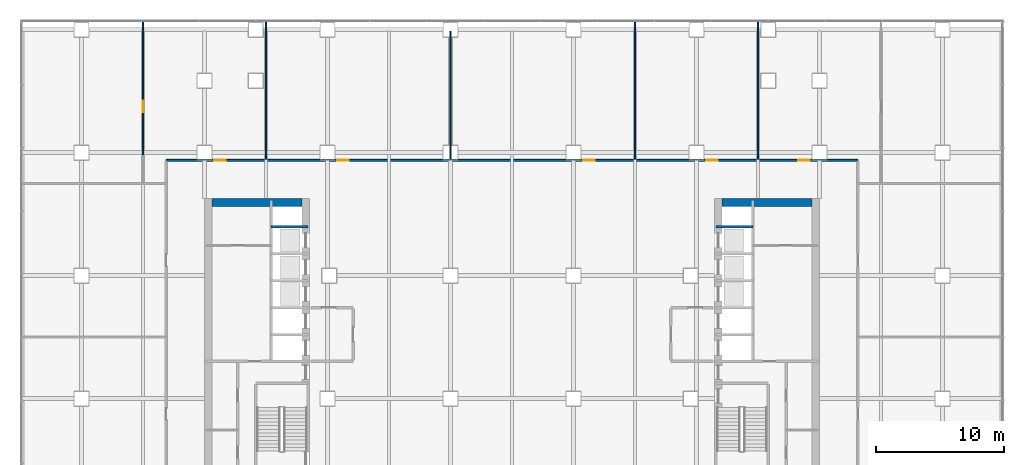
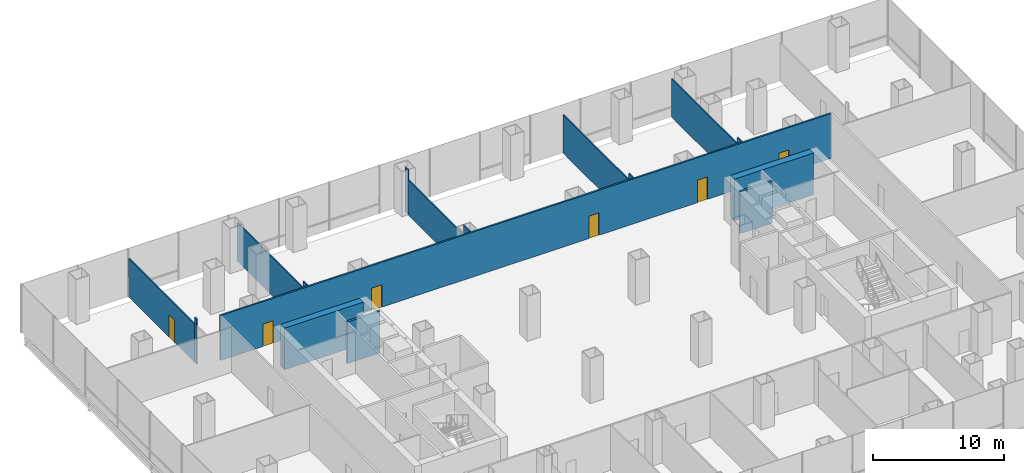
# One storey, part 19 of 23: 16 walls, 6 doors, 6 openings.
"""IFC4 building model written with IfcOpenShell, lengths in metres."""

from ifc_helpers import new_model, si_unit, direction, frame, frame_2d, origin, place, context, subcontext, project, spatial, rectangle, extrude, material, layer, layer_set, type_object, element, fill, save


model = new_model("IFC4")

# Units and contexts
model_context = context("Model", 3, precision=1e-05, world=origin(), true_north=direction((0.0, 1.0)))
body_context = subcontext(model_context, "Body", "Model", "MODEL_VIEW")
ifc_project = project(units=[si_unit("LENGTHUNIT", "METRE"), si_unit("AREAUNIT", "SQUARE_METRE"), si_unit("VOLUMEUNIT", "CUBIC_METRE"), si_unit("PLANEANGLEUNIT", "RADIAN"), si_unit("MASSUNIT", "GRAM", prefix="KILO")], contexts=[model_context])

# Site, building, storey
site_placement = place(None, origin())
site = spatial("IfcSite", under=ifc_project, at=site_placement, CompositionType="ELEMENT")
building_placement = place(site_placement, origin())
building = spatial("IfcBuilding", under=site, at=building_placement, Name="Cobrizo Arcos Hotel Tower", CompositionType="ELEMENT")
storey_placement = place(building_placement, frame((0.0, 0.0, 29.0)))
storey = spatial("IfcBuildingStorey", under=building, at=storey_placement, Name="L05", CompositionType="ELEMENT", Elevation=29.0)

# Wall, openings, doors
ifc_material_1 = material(Name="Gypsum board partition")
ifc_layer_1 = layer(ifc_material_1, 0.14990234375)
ifc_layer_set_1 = layer_set([ifc_layer_1], Name="Corridor wall EI 60 150")
wall_type_1 = type_object("IfcWallType", Name="Corridor wall EI 60 150", PredefinedType="PARTITIONING", material=ifc_layer_set_1)
wall_1_placement = place(storey_placement, frame((-27.0, 13.800048828125, 0.0), z_axis=(0.0, 0.0, 1.0), x_axis=(1.0, 0.0, 0.0)))
wall_1 = element("IfcWall", 1, at=wall_1_placement, inside=storey, type_object=wall_type_1, Name="Partition 031", PredefinedType="PARTITIONING", context=body_context, shape_type="SweptSolid", body=[
    extrude(rectangle(XDim=54.0, YDim=0.14990234375, at=frame_2d((27.0, 0.0))), origin(), (0.0, 0.0, 1.0), 4.199951171875),
])
opening_1_placement = place(wall_1_placement, frame((42.14990234375, 0.0, 0.0)))
opening_1 = element("IfcOpeningElement", 2, at=opening_1_placement, cuts=wall_1, Name="Opening RD-09", PredefinedType="OPENING", context=body_context, shape_type="SweptSolid", body=[
    extrude(rectangle(XDim=0.89990234375, YDim=2.10009765625, at=frame_2d((0.449951171875, 1.050048828125))), frame((0.0, 0.0869140625, 0.0), z_axis=(0.0, -1.0, 0.0), x_axis=(1.0, 0.0, 0.0)), (0.0, 0.0, 1.0), 0.173828125),
])
opening_2_placement = place(wall_1_placement, frame((3.75, 0.0, 0.0)))
opening_2 = element("IfcOpeningElement", 3, at=opening_2_placement, cuts=wall_1, Name="Opening RD-18", PredefinedType="OPENING", context=body_context, shape_type="SweptSolid", body=[
    extrude(rectangle(XDim=0.89990234375, YDim=2.10009765625, at=frame_2d((0.449951171875, 1.050048828125))), frame((0.0, 0.0869140625, 0.0), z_axis=(0.0, -1.0, 0.0), x_axis=(1.0, 0.0, 0.0)), (0.0, 0.0, 1.0), 0.173828125),
])
opening_3_placement = place(wall_1_placement, frame((49.35009765625, 0.0, 0.0)))
opening_3 = element("IfcOpeningElement", 4, at=opening_3_placement, cuts=wall_1, Name="Opening RD-22", PredefinedType="OPENING", context=body_context, shape_type="SweptSolid", body=[
    extrude(rectangle(XDim=0.89990234375, YDim=2.10009765625, at=frame_2d((0.449951171875, 1.050048828125))), frame((0.0, 0.0869140625, 0.0), z_axis=(0.0, -1.0, 0.0), x_axis=(1.0, 0.0, 0.0)), (0.0, 0.0, 1.0), 0.173828125),
])
opening_4_placement = place(wall_1_placement, frame((13.35009765625, 0.0, 0.0)))
opening_4 = element("IfcOpeningElement", 5, at=opening_4_placement, cuts=wall_1, Name="Opening RD-23", PredefinedType="OPENING", context=body_context, shape_type="SweptSolid", body=[
    extrude(rectangle(XDim=0.89990234375, YDim=2.10009765625, at=frame_2d((0.449951171875, 1.050048828125))), frame((0.0, 0.0869140625, 0.0), z_axis=(0.0, -1.0, 0.0), x_axis=(1.0, 0.0, 0.0)), (0.0, 0.0, 1.0), 0.173828125),
])
opening_5_placement = place(wall_1_placement, frame((32.550048828125, 0.0, 0.0)))
opening_5 = element("IfcOpeningElement", 6, at=opening_5_placement, cuts=wall_1, Name="Opening RD-24", PredefinedType="OPENING", context=body_context, shape_type="SweptSolid", body=[
    extrude(rectangle(XDim=0.89990234375, YDim=2.10009765625, at=frame_2d((0.449951171875, 1.050048828125))), frame((0.0, 0.0869140625, 0.0), z_axis=(0.0, -1.0, 0.0), x_axis=(1.0, 0.0, 0.0)), (0.0, 0.0, 1.0), 0.173828125),
])
ifc_material_2 = material(Name="Timber door leaf", Category="wood")
door_type = type_object("IfcDoorType", Name="Room door FD30 900x2100", OperationType="SINGLE_SWING_LEFT", PredefinedType="DOOR", material=ifc_material_2)
door_1_placement = place(opening_1_placement, origin())
door_1 = element("IfcDoor", 7, at=door_1_placement, inside=storey, type_object=door_type, Name="Door RD-09", OperationType="SINGLE_SWING_LEFT", OverallHeight=2.10009765625, OverallWidth=0.89990234375, PredefinedType="DOOR", context=body_context, shape_type="SweptSolid", body=[
    extrude(rectangle(XDim=0.89990234375, YDim=2.10009765625, at=frame_2d((0.449951171875, 1.050048828125))), frame((0.0, 0.02490234375, 0.0), z_axis=(0.0, -1.0, 0.0), x_axis=(1.0, 0.0, 0.0)), (0.0, 0.0, 1.0), 0.050048828125),
])
fill(opening_1, door_1)
door_2_placement = place(opening_2_placement, origin())
door_2 = element("IfcDoor", 8, at=door_2_placement, inside=storey, type_object=door_type, Name="Door RD-18", OperationType="SINGLE_SWING_RIGHT", OverallHeight=2.10009765625, OverallWidth=0.89990234375, PredefinedType="DOOR", context=body_context, shape_type="SweptSolid", body=[
    extrude(rectangle(XDim=0.89990234375, YDim=2.10009765625, at=frame_2d((0.449951171875, 1.050048828125))), frame((0.0, 0.02490234375, 0.0), z_axis=(0.0, -1.0, 0.0), x_axis=(1.0, 0.0, 0.0)), (0.0, 0.0, 1.0), 0.050048828125),
])
fill(opening_2, door_2)
door_3_placement = place(opening_3_placement, origin())
door_3 = element("IfcDoor", 9, at=door_3_placement, inside=storey, type_object=door_type, Name="Door RD-22", OperationType="SINGLE_SWING_RIGHT", OverallHeight=2.10009765625, OverallWidth=0.89990234375, PredefinedType="DOOR", context=body_context, shape_type="SweptSolid", body=[
    extrude(rectangle(XDim=0.89990234375, YDim=2.10009765625, at=frame_2d((0.449951171875, 1.050048828125))), frame((0.0, 0.02490234375, 0.0), z_axis=(0.0, -1.0, 0.0), x_axis=(1.0, 0.0, 0.0)), (0.0, 0.0, 1.0), 0.050048828125),
])
fill(opening_3, door_3)
door_4_placement = place(opening_4_placement, origin())
door_4 = element("IfcDoor", 10, at=door_4_placement, inside=storey, type_object=door_type, Name="Door RD-23", OperationType="SINGLE_SWING_RIGHT", OverallHeight=2.10009765625, OverallWidth=0.89990234375, PredefinedType="DOOR", context=body_context, shape_type="SweptSolid", body=[
    extrude(rectangle(XDim=0.89990234375, YDim=2.10009765625, at=frame_2d((0.449951171875, 1.050048828125))), frame((0.0, 0.02490234375, 0.0), z_axis=(0.0, -1.0, 0.0), x_axis=(1.0, 0.0, 0.0)), (0.0, 0.0, 1.0), 0.050048828125),
])
fill(opening_4, door_4)
door_5_placement = place(opening_5_placement, origin())
door_5 = element("IfcDoor", 11, at=door_5_placement, inside=storey, type_object=door_type, Name="Door RD-24", OperationType="SINGLE_SWING_LEFT", OverallHeight=2.10009765625, OverallWidth=0.89990234375, PredefinedType="DOOR", context=body_context, shape_type="SweptSolid", body=[
    extrude(rectangle(XDim=0.89990234375, YDim=2.10009765625, at=frame_2d((0.449951171875, 1.050048828125))), frame((0.0, 0.02490234375, 0.0), z_axis=(0.0, -1.0, 0.0), x_axis=(1.0, 0.0, 0.0)), (0.0, 0.0, 1.0), 0.050048828125),
])
fill(opening_5, door_5)

# Wall
ifc_layer_2 = layer(ifc_material_1, 0.10009765625)
ifc_layer_set_2 = layer_set([ifc_layer_2], Name="Partition EI 30 100")
wall_type_2 = type_object("IfcWallType", Name="Partition EI 30 100", PredefinedType="PARTITIONING", material=ifc_layer_set_2)
wall_2_placement = place(storey_placement, frame((-28.800048828125, 14.24609375, 0.0), z_axis=(0.0, 0.0, 1.0), x_axis=(0.0, 1.0, 0.0)))
element("IfcWall", 12, at=wall_2_placement, inside=storey, type_object=wall_type_2, Name="Partition 036", PredefinedType="PARTITIONING", context=body_context, shape_type="SweptSolid", body=[
    extrude(rectangle(XDim=0.307861328125, YDim=0.10009765625, at=frame_2d((0.15380859375, 0.0))), origin(), (0.0, 0.0, 1.0), 4.199951171875),
])

# Wall, opening, door
wall_3_placement = place(storey_placement, frame((-28.800048828125, 14.5537109375, 0.0), z_axis=(0.0, 0.0, 1.0), x_axis=(0.0, 1.0, 0.0)))
wall_3 = element("IfcWall", 13, at=wall_3_placement, inside=storey, type_object=wall_type_2, Name="Partition 037", PredefinedType="PARTITIONING", context=body_context, shape_type="SweptSolid", body=[
    extrude(rectangle(XDim=10.076171875, YDim=0.10009765625, at=frame_2d((5.0380859375, 0.0))), origin(), (0.0, 0.0, 1.0), 3.5830078125),
])
opening_6_placement = place(wall_3_placement, frame((2.99609375, 0.0, 0.0)))
opening_6 = element("IfcOpeningElement", 14, at=opening_6_placement, cuts=wall_3, Name="Opening RD-28", PredefinedType="OPENING", context=body_context, shape_type="SweptSolid", body=[
    extrude(rectangle(XDim=0.89990234375, YDim=2.10009765625, at=frame_2d((0.449951171875, 1.050048828125))), frame((0.0, 0.06201171875, 0.0), z_axis=(0.0, -1.0, 0.0), x_axis=(1.0, 0.0, 0.0)), (0.0, 0.0, 1.0), 0.1240234375),
])
door_6_placement = place(opening_6_placement, origin())
door_6 = element("IfcDoor", 15, at=door_6_placement, inside=storey, type_object=door_type, Name="Door RD-28", OperationType="SINGLE_SWING_RIGHT", OverallHeight=2.10009765625, OverallWidth=0.89990234375, PredefinedType="DOOR", context=body_context, shape_type="SweptSolid", body=[
    extrude(rectangle(XDim=0.89990234375, YDim=2.10009765625, at=frame_2d((0.449951171875, 1.050048828125))), frame((0.0, 0.02490234375, 0.0), z_axis=(0.0, -1.0, 0.0), x_axis=(1.0, 0.0, 0.0)), (0.0, 0.0, 1.0), 0.050048828125),
])
fill(opening_6, door_6)

# Walls
wall_4_placement = place(storey_placement, frame((-19.199951171875, 13.875, 0.0), z_axis=(0.0, 0.0, 1.0), x_axis=(0.0, 1.0, 0.0)))
element("IfcWall", 16, at=wall_4_placement, inside=storey, type_object=wall_type_2, Name="Partition 043", PredefinedType="PARTITIONING", context=body_context, shape_type="SweptSolid", body=[
    extrude(rectangle(XDim=0.678955078125, YDim=0.10009765625, at=frame_2d((0.33935546875, 0.0))), origin(), (0.0, 0.0, 1.0), 4.199951171875),
])
wall_5_placement = place(storey_placement, frame((-19.199951171875, 14.5537109375, 0.0), z_axis=(0.0, 0.0, 1.0), x_axis=(0.0, 1.0, 0.0)))
element("IfcWall", 17, at=wall_5_placement, inside=storey, type_object=wall_type_2, Name="Partition 044", PredefinedType="PARTITIONING", context=body_context, shape_type="SweptSolid", body=[
    extrude(rectangle(XDim=10.076171875, YDim=0.10009765625, at=frame_2d((5.0380859375, 0.0))), origin(), (0.0, 0.0, 1.0), 3.5830078125),
])
wall_6_placement = place(storey_placement, frame((-4.800048828125, 13.875, 0.0), z_axis=(0.0, 0.0, 1.0), x_axis=(0.0, 1.0, 0.0)))
element("IfcWall", 18, at=wall_6_placement, inside=storey, type_object=wall_type_2, Name="Partition 051", PredefinedType="PARTITIONING", context=body_context, shape_type="SweptSolid", body=[
    extrude(rectangle(XDim=1.125, YDim=0.10009765625, at=frame_2d((0.5625, 0.0))), origin(), (0.0, 0.0, 1.0), 4.199951171875),
])
wall_7_placement = place(storey_placement, frame((-4.800048828125, 15.0, 0.0), z_axis=(0.0, 0.0, 1.0), x_axis=(0.0, 1.0, 0.0)))
element("IfcWall", 19, at=wall_7_placement, inside=storey, type_object=wall_type_2, Name="Partition 052", PredefinedType="PARTITIONING", context=body_context, shape_type="SweptSolid", body=[
    extrude(rectangle(XDim=8.39990234375, YDim=0.10009765625, at=frame_2d((4.199951171875, 0.0))), origin(), (0.0, 0.0, 1.0), 3.27294921875),
])
wall_8_placement = place(storey_placement, frame((-4.800048828125, 23.39990234375, 0.0), z_axis=(0.0, 0.0, 1.0), x_axis=(0.0, 1.0, 0.0)))
element("IfcWall", 20, at=wall_8_placement, inside=storey, type_object=wall_type_2, Name="Partition 053", PredefinedType="PARTITIONING", context=body_context, shape_type="SweptSolid", body=[
    extrude(rectangle(XDim=0.47998046875, YDim=0.10009765625, at=frame_2d((0.239990234375, 0.0))), origin(), (0.0, 0.0, 1.0), 4.199951171875),
])
wall_9_placement = place(storey_placement, frame((9.60009765625, 13.875, 0.0), z_axis=(0.0, 0.0, 1.0), x_axis=(0.0, 1.0, 0.0)))
element("IfcWall", 21, at=wall_9_placement, inside=storey, type_object=wall_type_2, Name="Partition 058", PredefinedType="PARTITIONING", context=body_context, shape_type="SweptSolid", body=[
    extrude(rectangle(XDim=0.678955078125, YDim=0.10009765625, at=frame_2d((0.33935546875, 0.0))), origin(), (0.0, 0.0, 1.0), 4.199951171875),
])
wall_10_placement = place(storey_placement, frame((9.60009765625, 14.5537109375, 0.0), z_axis=(0.0, 0.0, 1.0), x_axis=(0.0, 1.0, 0.0)))
element("IfcWall", 22, at=wall_10_placement, inside=storey, type_object=wall_type_2, Name="Partition 059", PredefinedType="PARTITIONING", context=body_context, shape_type="SweptSolid", body=[
    extrude(rectangle(XDim=10.076171875, YDim=0.10009765625, at=frame_2d((5.0380859375, 0.0))), origin(), (0.0, 0.0, 1.0), 3.5830078125),
])
wall_11_placement = place(storey_placement, frame((19.199951171875, 13.875, 0.0), z_axis=(0.0, 0.0, 1.0), x_axis=(0.0, 1.0, 0.0)))
element("IfcWall", 23, at=wall_11_placement, inside=storey, type_object=wall_type_2, Name="Partition 067", PredefinedType="PARTITIONING", context=body_context, shape_type="SweptSolid", body=[
    extrude(rectangle(XDim=0.678955078125, YDim=0.10009765625, at=frame_2d((0.33935546875, 0.0))), origin(), (0.0, 0.0, 1.0), 4.199951171875),
])
wall_12_placement = place(storey_placement, frame((19.199951171875, 14.5537109375, 0.0), z_axis=(0.0, 0.0, 1.0), x_axis=(0.0, 1.0, 0.0)))
element("IfcWall", 24, at=wall_12_placement, inside=storey, type_object=wall_type_2, Name="Partition 068", PredefinedType="PARTITIONING", context=body_context, shape_type="SweptSolid", body=[
    extrude(rectangle(XDim=10.076171875, YDim=0.10009765625, at=frame_2d((5.0380859375, 0.0))), origin(), (0.0, 0.0, 1.0), 3.5830078125),
])
ifc_material_3 = material(Name="Concrete f'c 60 MPa", Category="concrete")
ifc_layer_3 = layer(ifc_material_3, 0.60009765625)
ifc_layer_set_3 = layer_set([ifc_layer_3], Name="RC core wall 600 f'c 60")
wall_type_3 = type_object("IfcWallType", Name="RC core wall 600 f'c 60", PredefinedType="SHEAR", material=ifc_layer_set_3)
for number, where, z_axis, x_axis, name in (
    (25, (16.39990234375, 10.5, 0.0), (0.0, 0.0, 1.0), (1.0, 0.0, 0.0), "Core wall CW1, east core, north end, L05"),
    (26, (-23.39990234375, 10.5, 0.0), (0.0, 0.0, 1.0), (1.0, 0.0, 0.0), "Core wall CW1, west core, north end, L05"),
):
    element("IfcWall", number, at=place(storey_placement, frame(where, z_axis=z_axis, x_axis=x_axis)), inside=storey, type_object=wall_type_3, Name=name, PredefinedType="SHEAR", context=body_context, shape_type="SweptSolid", body=[
        extrude(rectangle(XDim=7.0, YDim=0.60009765625, at=frame_2d((3.5, 0.0))), origin(), (0.0, 0.0, 1.0), 3.89990234375),
    ])
ifc_layer_4 = layer(ifc_material_1, 0.199951171875)
ifc_layer_set_4 = layer_set([ifc_layer_4], Name="Shaft wall EI 120 200")
wall_type_4 = type_object("IfcWallType", Name="Shaft wall EI 120 200", PredefinedType="PARTITIONING", material=ifc_layer_set_4)
for number, where, z_axis, x_axis, name in (
    (27, (-18.800048828125, 8.60009765625, 0.0), (0.0, 0.0, 1.0), (1.0, 0.0, 0.0), "Partition 027"),
    (28, (15.919921875, 8.60009765625, 0.0), (0.0, 0.0, 1.0), (1.0, 0.0, 0.0), "Partition 028"),
):
    element("IfcWall", number, at=place(storey_placement, frame(where, z_axis=z_axis, x_axis=x_axis)), inside=storey, type_object=wall_type_4, Name=name, PredefinedType="PARTITIONING", context=body_context, shape_type="SweptSolid", body=[
        extrude(rectangle(XDim=2.880126953125, YDim=0.199951171875, at=frame_2d((1.43994140625, 0.0))), origin(), (0.0, 0.0, 1.0), 3.89990234375),
    ])

save(model, "model.ifc")
